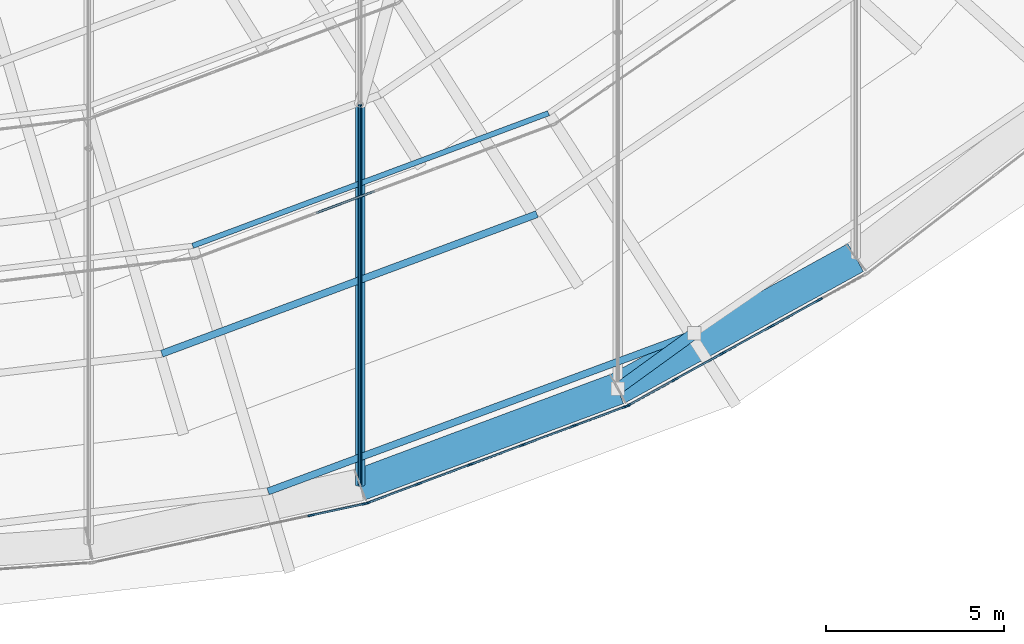
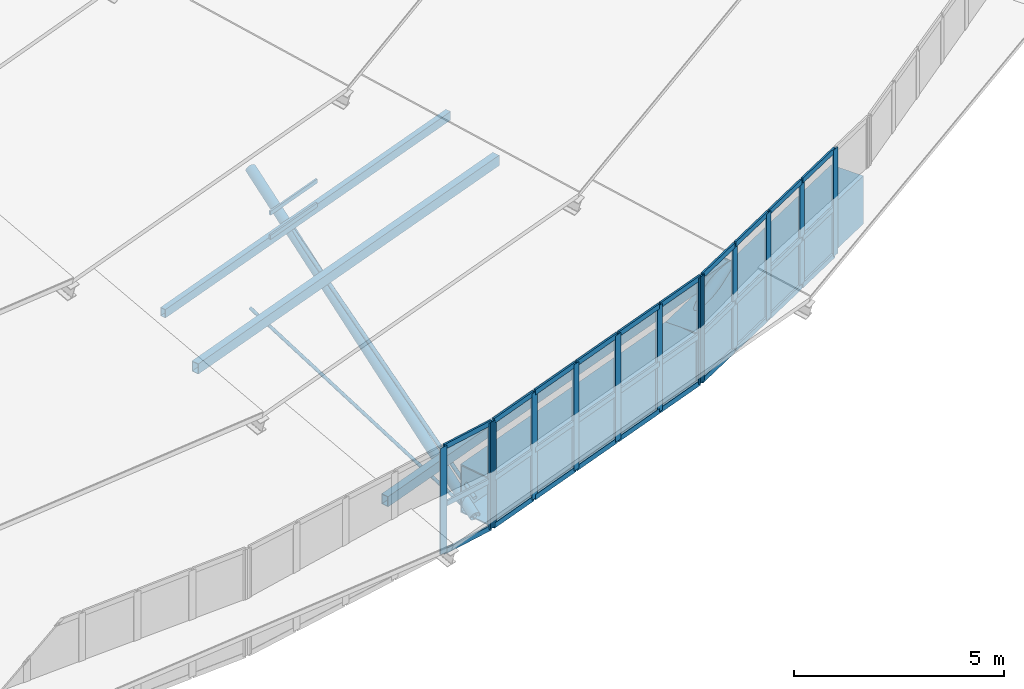
# One storey, part 74 of 173: 52 members, 2 beams, 4 elements without a shape of their own.
"""IFC4 building model written with IfcOpenShell, lengths in metres."""

from ifc_helpers import new_model, si_unit, direction, frame, origin, origin_2d, place, context, subcontext, project, spatial, rectangle, hollow_rectangle, circle, hollow_circle, extrude, material, material_profile, profile_set, type_object, element, aggregate, save


model = new_model("IFC4")

# Units and contexts
model_context = context("Model", 3, precision=1e-05, world=origin(), true_north=direction((0.0, 1.0)))
body_context = subcontext(model_context, "Body", "Model", "MODEL_VIEW")
ifc_project = project(units=[si_unit("LENGTHUNIT", "METRE"), si_unit("AREAUNIT", "SQUARE_METRE"), si_unit("VOLUMEUNIT", "CUBIC_METRE"), si_unit("PLANEANGLEUNIT", "RADIAN"), si_unit("MASSUNIT", "GRAM", prefix="KILO")], contexts=[model_context])

# Site, building, storey
site_placement = place(None, origin())
site = spatial("IfcSite", under=ifc_project, at=site_placement, CompositionType="ELEMENT")
building_placement = place(site_placement, origin())
building = spatial("IfcBuilding", under=site, at=building_placement, Name="Glasvene Arena", CompositionType="ELEMENT")
storey_placement = place(building_placement, frame((0.0, 0.0, 28.800048828125)))
storey = spatial("IfcBuildingStorey", under=building, at=storey_placement, Name="RF", CompositionType="ELEMENT", Elevation=28.800048828125)

# Beams
ifc_material_1 = material(Name="Steel S355J2", Category="steel")
ifc_material_profile_1 = material_profile(ifc_material_1, hollow_rectangle(XDim=0.89990234375, YDim=1.39990234375, WallThickness=0.034912109375, at=origin_2d()), Name="WBOX 900x1400x35")
ifc_profile_set_1 = profile_set([ifc_material_profile_1], Name="Steel S355J2")
beam_type = type_object("IfcBeamType", Name="BM-RING-BOX1400", PredefinedType="USERDEFINED", material=ifc_profile_set_1)
beam_1_placement = place(storey_placement, frame((107.45068359375, 30.202392578125, -0.699951171875), z_axis=(0.937003141372, 0.349320931321, 0.0), x_axis=(-0.349320931321, 0.937003141372, 0.0)))
element("IfcBeam", 1, at=beam_1_placement, inside=storey, type_object=beam_type, Name="Compression ring beam chord RB-33", ObjectType="RING BEAM", PredefinedType="USERDEFINED", context=body_context, shape_type="SweptSolid", body=[
    extrude(hollow_rectangle(XDim=0.89990234375, YDim=1.39990234375, WallThickness=0.034912109375, at=origin_2d()), origin(), (0.0, 0.0, 1.0), 7.736083984375),
])
beam_2_placement = place(storey_placement, frame((114.699462890625, 32.90478515625, -0.699951171875), z_axis=(0.875663430497, 0.482921894813, 0.0), x_axis=(-0.482921894813, 0.875663430497, 0.0)))
element("IfcBeam", 2, at=beam_2_placement, inside=storey, type_object=beam_type, Name="Compression ring beam chord RB-34", ObjectType="RING BEAM", PredefinedType="USERDEFINED", context=body_context, shape_type="SweptSolid", body=[
    extrude(hollow_rectangle(XDim=0.89990234375, YDim=1.39990234375, WallThickness=0.034912109375, at=origin_2d()), origin(), (0.0, 0.0, 1.0), 7.639892578125),
])

# Curtain wall, members
ifc_material_2 = material(Name="Low-emissivity laminated double glazing", Category="glass")
curtain_wall_type_1 = type_object("IfcCurtainWallType", Name="CW-DRUM-789x310", PredefinedType="USERDEFINED", material=ifc_material_2)
curtain_wall_1_placement = place(storey_placement, frame((99.90771484375, 28.0107421875, 0.0)))
curtain_wall_1 = element("IfcCurtainWall", 3, at=curtain_wall_1_placement, inside=storey, type_object=curtain_wall_type_1, Name="Crown compression-ring fascia curtain wall 32", ObjectType="CURTAIN WALL", PredefinedType="USERDEFINED")
ifc_material_3 = material(Name="Anodised architectural aluminium", Category="aluminium")
ifc_material_profile_2 = material_profile(ifc_material_3, rectangle(XDim=0.050048828125, YDim=0.199951171875, at=origin_2d()), Name="ALU MULLION 50x200")
ifc_profile_set_2 = profile_set([ifc_material_profile_2], Name="Anodised architectural aluminium")
member_type_1 = type_object("IfcMemberType", Name="CW-MUL-180", PredefinedType="MULLION", material=ifc_profile_set_2)
member_1_placement = place(storey_placement, frame((106.078125, 29.345703125, -1.380126953125), z_axis=(0.0, 0.0, 1.0), x_axis=(-0.211444690135, 0.977389964658, 0.0)))
member_1 = element("IfcMember", 4, at=member_1_placement, type_object=member_type_1, Name="CW-079 mullion 5", PredefinedType="MULLION", context=body_context, shape_type="SweptSolid", body=[
    extrude(rectangle(XDim=0.050048828125, YDim=0.199951171875, at=origin_2d()), origin(), (0.0, 0.0, 1.0), 3.10009765625),
])
member_2_placement = place(storey_placement, frame((107.596435546875, 29.674072265625, -1.380126953125), z_axis=(0.0, 0.0, 1.0), x_axis=(-0.211444690135, 0.977389964658, 0.0)))
member_2 = element("IfcMember", 5, at=member_2_placement, type_object=member_type_1, Name="CW-079 mullion 6", PredefinedType="MULLION", context=body_context, shape_type="SweptSolid", body=[
    extrude(rectangle(XDim=0.050048828125, YDim=0.199951171875, at=origin_2d()), origin(), (0.0, 0.0, 1.0), 3.10009765625),
])

curtain_wall_type_2 = type_object("IfcCurtainWallType", Name="CW-DRUM-782x310", PredefinedType="USERDEFINED", material=ifc_material_2)
curtain_wall_2_placement = place(storey_placement, frame((107.620849609375, 29.679443359375, 0.0)))
curtain_wall_2 = element("IfcCurtainWall", 6, at=curtain_wall_2_placement, inside=storey, type_object=curtain_wall_type_2, Name="Crown compression-ring fascia curtain wall 33", ObjectType="CURTAIN WALL", PredefinedType="USERDEFINED")
member_3_placement = place(storey_placement, frame((107.644287109375, 29.688232421875, -1.380126953125), z_axis=(0.0, 0.0, 1.0), x_axis=(-0.349682803856, 0.936868153311, 0.0)))
member_3 = element("IfcMember", 7, at=member_3_placement, type_object=member_type_1, Name="CW-078 mullion 1", PredefinedType="MULLION", context=body_context, shape_type="SweptSolid", body=[
    extrude(rectangle(XDim=0.050048828125, YDim=0.199951171875, at=origin_2d()), origin(), (0.0, 0.0, 1.0), 3.10009765625),
])
member_4_placement = place(storey_placement, frame((109.08642578125, 30.2265625, -1.380126953125), z_axis=(0.0, 0.0, 1.0), x_axis=(-0.349682803856, 0.936868153311, 0.0)))
member_4 = element("IfcMember", 8, at=member_4_placement, type_object=member_type_1, Name="CW-078 mullion 2", PredefinedType="MULLION", context=body_context, shape_type="SweptSolid", body=[
    extrude(rectangle(XDim=0.050048828125, YDim=0.199951171875, at=origin_2d()), origin(), (0.0, 0.0, 1.0), 3.10009765625),
])
member_5_placement = place(storey_placement, frame((110.55224609375, 30.7734375, -1.380126953125), z_axis=(0.0, 0.0, 1.0), x_axis=(-0.349682803856, 0.936868153311, 0.0)))
member_5 = element("IfcMember", 9, at=member_5_placement, type_object=member_type_1, Name="CW-078 mullion 3", PredefinedType="MULLION", context=body_context, shape_type="SweptSolid", body=[
    extrude(rectangle(XDim=0.050048828125, YDim=0.199951171875, at=origin_2d()), origin(), (0.0, 0.0, 1.0), 3.10009765625),
])
member_6_placement = place(storey_placement, frame((112.017822265625, 31.320556640625, -1.380126953125), z_axis=(0.0, 0.0, 1.0), x_axis=(-0.349682803856, 0.936868153311, 0.0)))
member_6 = element("IfcMember", 10, at=member_6_placement, type_object=member_type_1, Name="CW-078 mullion 4", PredefinedType="MULLION", context=body_context, shape_type="SweptSolid", body=[
    extrude(rectangle(XDim=0.050048828125, YDim=0.199951171875, at=origin_2d()), origin(), (0.0, 0.0, 1.0), 3.10009765625),
])
member_7_placement = place(storey_placement, frame((113.4833984375, 31.86767578125, -1.380126953125), z_axis=(0.0, 0.0, 1.0), x_axis=(-0.349682803856, 0.936868153311, 0.0)))
member_7 = element("IfcMember", 11, at=member_7_placement, type_object=member_type_1, Name="CW-078 mullion 5", PredefinedType="MULLION", context=body_context, shape_type="SweptSolid", body=[
    extrude(rectangle(XDim=0.050048828125, YDim=0.199951171875, at=origin_2d()), origin(), (0.0, 0.0, 1.0), 3.10009765625),
])
member_8_placement = place(storey_placement, frame((114.92578125, 32.406005859375, -1.380126953125), z_axis=(0.0, 0.0, 1.0), x_axis=(-0.349682803856, 0.936868153311, 0.0)))
member_8 = element("IfcMember", 12, at=member_8_placement, type_object=member_type_1, Name="CW-078 mullion 6", PredefinedType="MULLION", context=body_context, shape_type="SweptSolid", body=[
    extrude(rectangle(XDim=0.050048828125, YDim=0.199951171875, at=origin_2d()), origin(), (0.0, 0.0, 1.0), 3.10009765625),
])

curtain_wall_type_3 = type_object("IfcCurtainWallType", Name="CW-DRUM-773x310", PredefinedType="USERDEFINED", material=ifc_material_2)
curtain_wall_3_placement = place(storey_placement, frame((114.94921875, 32.414794921875, 0.0)))
curtain_wall_3 = element("IfcCurtainWall", 13, at=curtain_wall_3_placement, inside=storey, type_object=curtain_wall_type_3, Name="Crown compression-ring fascia curtain wall 34", ObjectType="CURTAIN WALL", PredefinedType="USERDEFINED")
member_9_placement = place(storey_placement, frame((114.97119140625, 32.4267578125, -1.380126953125), z_axis=(0.0, 0.0, 1.0), x_axis=(-0.483387319086, 0.875406591103, 0.0)))
member_9 = element("IfcMember", 14, at=member_9_placement, type_object=member_type_1, Name="CW-077 mullion 1", PredefinedType="MULLION", context=body_context, shape_type="SweptSolid", body=[
    extrude(rectangle(XDim=0.050048828125, YDim=0.199951171875, at=origin_2d()), origin(), (0.0, 0.0, 1.0), 3.10009765625),
])
member_10_placement = place(storey_placement, frame((116.3017578125, 33.16162109375, -1.380126953125), z_axis=(0.0, 0.0, 1.0), x_axis=(-0.483387319086, 0.875406591103, 0.0)))
member_10 = element("IfcMember", 15, at=member_10_placement, type_object=member_type_1, Name="CW-077 mullion 2", PredefinedType="MULLION", context=body_context, shape_type="SweptSolid", body=[
    extrude(rectangle(XDim=0.050048828125, YDim=0.199951171875, at=origin_2d()), origin(), (0.0, 0.0, 1.0), 3.10009765625),
])
member_11_placement = place(storey_placement, frame((117.654541015625, 33.908447265625, -1.380126953125), z_axis=(0.0, 0.0, 1.0), x_axis=(-0.483387319086, 0.875406591103, 0.0)))
member_11 = element("IfcMember", 16, at=member_11_placement, type_object=member_type_1, Name="CW-077 mullion 3", PredefinedType="MULLION", context=body_context, shape_type="SweptSolid", body=[
    extrude(rectangle(XDim=0.050048828125, YDim=0.199951171875, at=origin_2d()), origin(), (0.0, 0.0, 1.0), 3.10009765625),
])
member_12_placement = place(storey_placement, frame((119.007080078125, 34.655517578125, -1.380126953125), z_axis=(0.0, 0.0, 1.0), x_axis=(-0.483387319086, 0.875406591103, 0.0)))
member_12 = element("IfcMember", 17, at=member_12_placement, type_object=member_type_1, Name="CW-077 mullion 4", PredefinedType="MULLION", context=body_context, shape_type="SweptSolid", body=[
    extrude(rectangle(XDim=0.050048828125, YDim=0.199951171875, at=origin_2d()), origin(), (0.0, 0.0, 1.0), 3.10009765625),
])
member_13_placement = place(storey_placement, frame((120.35986328125, 35.40234375, -1.380126953125), z_axis=(0.0, 0.0, 1.0), x_axis=(-0.483387319086, 0.875406591103, 0.0)))
member_13 = element("IfcMember", 18, at=member_13_placement, type_object=member_type_1, Name="CW-077 mullion 5", PredefinedType="MULLION", context=body_context, shape_type="SweptSolid", body=[
    extrude(rectangle(XDim=0.050048828125, YDim=0.199951171875, at=origin_2d()), origin(), (0.0, 0.0, 1.0), 3.10009765625),
])

curtain_wall_type_4 = type_object("IfcCurtainWallType", Name="CW-PET1-1077x75", PredefinedType="USERDEFINED", material=ifc_material_2)
curtain_wall_4_placement = place(storey_placement, frame((102.83154296875, 36.584716796875, 0.0)))
curtain_wall_4 = element("IfcCurtainWall", 19, at=curtain_wall_4_placement, inside=storey, type_object=curtain_wall_type_4, Name="Petal ring 1-2 clerestory curtain wall 20", ObjectType="CURTAIN WALL", PredefinedType="USERDEFINED")
ifc_material_profile_3 = material_profile(ifc_material_3, rectangle(XDim=0.050048828125, YDim=0.1201171875, at=origin_2d()), Name="ALU TRANSOM 50x120")
ifc_profile_set_3 = profile_set([ifc_material_profile_3], Name="Anodised architectural aluminium")
member_type_2 = type_object("IfcMemberType", Name="CW-TRN-120", PredefinedType="USERDEFINED", material=ifc_profile_set_3)
member_14_placement = place(storey_placement, frame((106.219482421875, 37.8486328125, 2.60498046875), z_axis=(0.936885499629, 0.349636326179, 0.0), x_axis=(-0.349636326179, 0.936885499629, 0.0)))
member_14 = element("IfcMember", 20, at=member_14_placement, type_object=member_type_2, Name="CW-085 transom 3.1", ObjectType="TRANSOM", PredefinedType="USERDEFINED", context=body_context, shape_type="SweptSolid", body=[
    extrude(rectangle(XDim=0.050048828125, YDim=0.1201171875, at=origin_2d()), origin(), (0.0, 0.0, 1.0), 1.74560546875),
])
member_15_placement = place(storey_placement, frame((106.219482421875, 37.8486328125, 3.304931640625), z_axis=(0.936885499629, 0.349636326179, 0.0), x_axis=(-0.349636326179, 0.936885499629, 0.0)))
member_15 = element("IfcMember", 21, at=member_15_placement, type_object=member_type_2, Name="CW-085 transom 3.2", ObjectType="TRANSOM", PredefinedType="USERDEFINED", context=body_context, shape_type="SweptSolid", body=[
    extrude(rectangle(XDim=0.050048828125, YDim=0.1201171875, at=origin_2d()), origin(), (0.0, 0.0, 1.0), 1.74560546875),
])
aggregate(curtain_wall_4, [member_14, member_15])

# Member
ifc_material_profile_4 = material_profile(ifc_material_3, rectangle(XDim=0.050048828125, YDim=0.14990234375, at=origin_2d()), Name="ALU TRANSOM 50x150")
ifc_profile_set_4 = profile_set([ifc_material_profile_4], Name="Anodised architectural aluminium")
member_type_3 = type_object("IfcMemberType", Name="CW-TRN-150", PredefinedType="USERDEFINED", material=ifc_profile_set_4)
member_16_placement = place(storey_placement, frame((106.1025390625, 29.35107421875, -1.35498046875), z_axis=(0.977394217104, 0.211425032509, 0.0), x_axis=(-0.211425032509, 0.977394217104, 0.0)))
member_16 = element("IfcMember", 22, at=member_16_placement, type_object=member_type_3, Name="CW-079 transom 5.1", ObjectType="TRANSOM", PredefinedType="USERDEFINED", context=body_context, shape_type="SweptSolid", body=[
    extrude(rectangle(XDim=0.050048828125, YDim=0.14990234375, at=origin_2d()), origin(), (0.0, 0.0, 1.0), 1.50341796875),
])

member_17_placement = place(storey_placement, frame((106.1025390625, 29.35107421875, 0.02001953125), z_axis=(0.977394217104, 0.211425032509, 0.0), x_axis=(-0.211425032509, 0.977394217104, 0.0)))
member_17 = element("IfcMember", 23, at=member_17_placement, type_object=member_type_3, Name="CW-079 transom 5.2", ObjectType="TRANSOM", PredefinedType="USERDEFINED", context=body_context, shape_type="SweptSolid", body=[
    extrude(rectangle(XDim=0.050048828125, YDim=0.14990234375, at=origin_2d()), origin(), (0.0, 0.0, 1.0), 1.50341796875),
])

member_18_placement = place(storey_placement, frame((106.1025390625, 29.35107421875, 1.695068359375), z_axis=(0.977394217104, 0.211425032509, 0.0), x_axis=(-0.211425032509, 0.977394217104, 0.0)))
member_18 = element("IfcMember", 24, at=member_18_placement, type_object=member_type_3, Name="CW-079 transom 5.3", ObjectType="TRANSOM", PredefinedType="USERDEFINED", context=body_context, shape_type="SweptSolid", body=[
    extrude(rectangle(XDim=0.050048828125, YDim=0.14990234375, at=origin_2d()), origin(), (0.0, 0.0, 1.0), 1.50341796875),
])

aggregate(curtain_wall_1, [member_1, member_2, member_16, member_17, member_18])

member_19_placement = place(storey_placement, frame((107.667724609375, 29.69677734375, -1.35498046875), z_axis=(0.936820028277, 0.349811713096, 0.0), x_axis=(-0.349811713096, 0.936820028277, 0.0)))
member_19 = element("IfcMember", 25, at=member_19_placement, type_object=member_type_3, Name="CW-078 transom 1.1", ObjectType="TRANSOM", PredefinedType="USERDEFINED", context=body_context, shape_type="SweptSolid", body=[
    extrude(rectangle(XDim=0.050048828125, YDim=0.14990234375, at=origin_2d()), origin(), (0.0, 0.0, 1.0), 1.4892578125),
])

member_20_placement = place(storey_placement, frame((107.667724609375, 29.69677734375, 0.02001953125), z_axis=(0.936820028277, 0.349811713096, 0.0), x_axis=(-0.349811713096, 0.936820028277, 0.0)))
member_20 = element("IfcMember", 26, at=member_20_placement, type_object=member_type_3, Name="CW-078 transom 1.2", ObjectType="TRANSOM", PredefinedType="USERDEFINED", context=body_context, shape_type="SweptSolid", body=[
    extrude(rectangle(XDim=0.050048828125, YDim=0.14990234375, at=origin_2d()), origin(), (0.0, 0.0, 1.0), 1.4892578125),
])

member_21_placement = place(storey_placement, frame((107.667724609375, 29.69677734375, 1.695068359375), z_axis=(0.936820028277, 0.349811713096, 0.0), x_axis=(-0.349811713096, 0.936820028277, 0.0)))
member_21 = element("IfcMember", 27, at=member_21_placement, type_object=member_type_3, Name="CW-078 transom 1.3", ObjectType="TRANSOM", PredefinedType="USERDEFINED", context=body_context, shape_type="SweptSolid", body=[
    extrude(rectangle(XDim=0.050048828125, YDim=0.14990234375, at=origin_2d()), origin(), (0.0, 0.0, 1.0), 1.4892578125),
])

member_22_placement = place(storey_placement, frame((109.10986328125, 30.235107421875, -1.35498046875), z_axis=(0.936831655381, 0.349780573327, 0.0), x_axis=(-0.349780573327, 0.936831655381, 0.0)))
member_22 = element("IfcMember", 28, at=member_22_placement, type_object=member_type_3, Name="CW-078 transom 2.1", ObjectType="TRANSOM", PredefinedType="USERDEFINED", context=body_context, shape_type="SweptSolid", body=[
    extrude(rectangle(XDim=0.050048828125, YDim=0.14990234375, at=origin_2d()), origin(), (0.0, 0.0, 1.0), 1.5146484375),
])

member_23_placement = place(storey_placement, frame((109.10986328125, 30.235107421875, 0.02001953125), z_axis=(0.936831655381, 0.349780573327, 0.0), x_axis=(-0.349780573327, 0.936831655381, 0.0)))
member_23 = element("IfcMember", 29, at=member_23_placement, type_object=member_type_3, Name="CW-078 transom 2.2", ObjectType="TRANSOM", PredefinedType="USERDEFINED", context=body_context, shape_type="SweptSolid", body=[
    extrude(rectangle(XDim=0.050048828125, YDim=0.14990234375, at=origin_2d()), origin(), (0.0, 0.0, 1.0), 1.5146484375),
])

member_24_placement = place(storey_placement, frame((109.10986328125, 30.235107421875, 1.695068359375), z_axis=(0.936831655381, 0.349780573327, 0.0), x_axis=(-0.349780573327, 0.936831655381, 0.0)))
member_24 = element("IfcMember", 30, at=member_24_placement, type_object=member_type_3, Name="CW-078 transom 2.3", ObjectType="TRANSOM", PredefinedType="USERDEFINED", context=body_context, shape_type="SweptSolid", body=[
    extrude(rectangle(XDim=0.050048828125, YDim=0.14990234375, at=origin_2d()), origin(), (0.0, 0.0, 1.0), 1.5146484375),
])

member_25_placement = place(storey_placement, frame((110.57568359375, 30.7822265625, -1.35498046875), z_axis=(0.93686475649, 0.349691904462, 0.0), x_axis=(-0.349691904462, 0.93686475649, 0.0)))
member_25 = element("IfcMember", 31, at=member_25_placement, type_object=member_type_3, Name="CW-078 transom 3.1", ObjectType="TRANSOM", PredefinedType="USERDEFINED", context=body_context, shape_type="SweptSolid", body=[
    extrude(rectangle(XDim=0.050048828125, YDim=0.14990234375, at=origin_2d()), origin(), (0.0, 0.0, 1.0), 1.514404296875),
])

member_26_placement = place(storey_placement, frame((110.57568359375, 30.7822265625, 0.02001953125), z_axis=(0.93686475649, 0.349691904462, 0.0), x_axis=(-0.349691904462, 0.93686475649, 0.0)))
member_26 = element("IfcMember", 32, at=member_26_placement, type_object=member_type_3, Name="CW-078 transom 3.2", ObjectType="TRANSOM", PredefinedType="USERDEFINED", context=body_context, shape_type="SweptSolid", body=[
    extrude(rectangle(XDim=0.050048828125, YDim=0.14990234375, at=origin_2d()), origin(), (0.0, 0.0, 1.0), 1.514404296875),
])

member_27_placement = place(storey_placement, frame((110.57568359375, 30.7822265625, 1.695068359375), z_axis=(0.93686475649, 0.349691904462, 0.0), x_axis=(-0.349691904462, 0.93686475649, 0.0)))
member_27 = element("IfcMember", 33, at=member_27_placement, type_object=member_type_3, Name="CW-078 transom 3.3", ObjectType="TRANSOM", PredefinedType="USERDEFINED", context=body_context, shape_type="SweptSolid", body=[
    extrude(rectangle(XDim=0.050048828125, YDim=0.14990234375, at=origin_2d()), origin(), (0.0, 0.0, 1.0), 1.514404296875),
])

member_28_placement = place(storey_placement, frame((112.041259765625, 31.329345703125, -1.35498046875), z_axis=(0.936884467043, 0.349639093086, 0.0), x_axis=(-0.349639093086, 0.936884467043, 0.0)))
member_28 = element("IfcMember", 34, at=member_28_placement, type_object=member_type_3, Name="CW-078 transom 4.1", ObjectType="TRANSOM", PredefinedType="USERDEFINED", context=body_context, shape_type="SweptSolid", body=[
    extrude(rectangle(XDim=0.050048828125, YDim=0.14990234375, at=origin_2d()), origin(), (0.0, 0.0, 1.0), 1.5146484375),
])

member_29_placement = place(storey_placement, frame((112.041259765625, 31.329345703125, 0.02001953125), z_axis=(0.936884467043, 0.349639093086, 0.0), x_axis=(-0.349639093086, 0.936884467043, 0.0)))
member_29 = element("IfcMember", 35, at=member_29_placement, type_object=member_type_3, Name="CW-078 transom 4.2", ObjectType="TRANSOM", PredefinedType="USERDEFINED", context=body_context, shape_type="SweptSolid", body=[
    extrude(rectangle(XDim=0.050048828125, YDim=0.14990234375, at=origin_2d()), origin(), (0.0, 0.0, 1.0), 1.5146484375),
])

member_30_placement = place(storey_placement, frame((112.041259765625, 31.329345703125, 1.695068359375), z_axis=(0.936884467043, 0.349639093086, 0.0), x_axis=(-0.349639093086, 0.936884467043, 0.0)))
member_30 = element("IfcMember", 36, at=member_30_placement, type_object=member_type_3, Name="CW-078 transom 4.3", ObjectType="TRANSOM", PredefinedType="USERDEFINED", context=body_context, shape_type="SweptSolid", body=[
    extrude(rectangle(XDim=0.050048828125, YDim=0.14990234375, at=origin_2d()), origin(), (0.0, 0.0, 1.0), 1.5146484375),
])

member_31_placement = place(storey_placement, frame((113.5068359375, 31.87646484375, -1.35498046875), z_axis=(0.936893778627, 0.349614140975, 0.0), x_axis=(-0.349614140975, 0.936893778627, 0.0)))
member_31 = element("IfcMember", 37, at=member_31_placement, type_object=member_type_3, Name="CW-078 transom 5.1", ObjectType="TRANSOM", PredefinedType="USERDEFINED", context=body_context, shape_type="SweptSolid", body=[
    extrude(rectangle(XDim=0.050048828125, YDim=0.14990234375, at=origin_2d()), origin(), (0.0, 0.0, 1.0), 1.489501953125),
])

member_32_placement = place(storey_placement, frame((113.5068359375, 31.87646484375, 0.02001953125), z_axis=(0.936893778627, 0.349614140975, 0.0), x_axis=(-0.349614140975, 0.936893778627, 0.0)))
member_32 = element("IfcMember", 38, at=member_32_placement, type_object=member_type_3, Name="CW-078 transom 5.2", ObjectType="TRANSOM", PredefinedType="USERDEFINED", context=body_context, shape_type="SweptSolid", body=[
    extrude(rectangle(XDim=0.050048828125, YDim=0.14990234375, at=origin_2d()), origin(), (0.0, 0.0, 1.0), 1.489501953125),
])

member_33_placement = place(storey_placement, frame((113.5068359375, 31.87646484375, 1.695068359375), z_axis=(0.936893778627, 0.349614140975, 0.0), x_axis=(-0.349614140975, 0.936893778627, 0.0)))
member_33 = element("IfcMember", 39, at=member_33_placement, type_object=member_type_3, Name="CW-078 transom 5.3", ObjectType="TRANSOM", PredefinedType="USERDEFINED", context=body_context, shape_type="SweptSolid", body=[
    extrude(rectangle(XDim=0.050048828125, YDim=0.14990234375, at=origin_2d()), origin(), (0.0, 0.0, 1.0), 1.489501953125),
])

aggregate(curtain_wall_2, [member_3, member_4, member_5, member_6, member_7, member_8, member_19, member_20, member_21, member_22, member_23, member_24, member_25, member_26, member_27, member_28, member_29, member_30, member_31, member_32, member_33])

member_34_placement = place(storey_placement, frame((114.992919921875, 32.43896484375, -1.35498046875), z_axis=(0.875485629415, 0.483244154324, 0.0), x_axis=(-0.483244154324, 0.875485629415, 0.0)))
member_34 = element("IfcMember", 40, at=member_34_placement, type_object=member_type_3, Name="CW-077 transom 1.1", ObjectType="TRANSOM", PredefinedType="USERDEFINED", context=body_context, shape_type="SweptSolid", body=[
    extrude(rectangle(XDim=0.050048828125, YDim=0.14990234375, at=origin_2d()), origin(), (0.0, 0.0, 1.0), 1.47021484375),
])

member_35_placement = place(storey_placement, frame((114.992919921875, 32.43896484375, 0.02001953125), z_axis=(0.875485629415, 0.483244154324, 0.0), x_axis=(-0.483244154324, 0.875485629415, 0.0)))
member_35 = element("IfcMember", 41, at=member_35_placement, type_object=member_type_3, Name="CW-077 transom 1.2", ObjectType="TRANSOM", PredefinedType="USERDEFINED", context=body_context, shape_type="SweptSolid", body=[
    extrude(rectangle(XDim=0.050048828125, YDim=0.14990234375, at=origin_2d()), origin(), (0.0, 0.0, 1.0), 1.47021484375),
])

member_36_placement = place(storey_placement, frame((114.992919921875, 32.43896484375, 1.695068359375), z_axis=(0.875485629415, 0.483244154324, 0.0), x_axis=(-0.483244154324, 0.875485629415, 0.0)))
member_36 = element("IfcMember", 42, at=member_36_placement, type_object=member_type_3, Name="CW-077 transom 1.3", ObjectType="TRANSOM", PredefinedType="USERDEFINED", context=body_context, shape_type="SweptSolid", body=[
    extrude(rectangle(XDim=0.050048828125, YDim=0.14990234375, at=origin_2d()), origin(), (0.0, 0.0, 1.0), 1.47021484375),
])

member_37_placement = place(storey_placement, frame((116.32373046875, 33.173583984375, -1.35498046875), z_axis=(0.87535611162, 0.483478725332, 0.0), x_axis=(-0.483478725332, 0.87535611162, 0.0)))
member_37 = element("IfcMember", 43, at=member_37_placement, type_object=member_type_3, Name="CW-077 transom 2.1", ObjectType="TRANSOM", PredefinedType="USERDEFINED", context=body_context, shape_type="SweptSolid", body=[
    extrude(rectangle(XDim=0.050048828125, YDim=0.14990234375, at=origin_2d()), origin(), (0.0, 0.0, 1.0), 1.4951171875),
])

member_38_placement = place(storey_placement, frame((116.32373046875, 33.173583984375, 0.02001953125), z_axis=(0.87535611162, 0.483478725332, 0.0), x_axis=(-0.483478725332, 0.87535611162, 0.0)))
member_38 = element("IfcMember", 44, at=member_38_placement, type_object=member_type_3, Name="CW-077 transom 2.2", ObjectType="TRANSOM", PredefinedType="USERDEFINED", context=body_context, shape_type="SweptSolid", body=[
    extrude(rectangle(XDim=0.050048828125, YDim=0.14990234375, at=origin_2d()), origin(), (0.0, 0.0, 1.0), 1.4951171875),
])

member_39_placement = place(storey_placement, frame((116.32373046875, 33.173583984375, 1.695068359375), z_axis=(0.87535611162, 0.483478725332, 0.0), x_axis=(-0.483478725332, 0.87535611162, 0.0)))
member_39 = element("IfcMember", 45, at=member_39_placement, type_object=member_type_3, Name="CW-077 transom 2.3", ObjectType="TRANSOM", PredefinedType="USERDEFINED", context=body_context, shape_type="SweptSolid", body=[
    extrude(rectangle(XDim=0.050048828125, YDim=0.14990234375, at=origin_2d()), origin(), (0.0, 0.0, 1.0), 1.4951171875),
])

member_40_placement = place(storey_placement, frame((117.676513671875, 33.920654296875, -1.35498046875), z_axis=(0.8754252118, 0.483353595771, 0.0), x_axis=(-0.483353595771, 0.8754252118, 0.0)))
member_40 = element("IfcMember", 46, at=member_40_placement, type_object=member_type_3, Name="CW-077 transom 3.1", ObjectType="TRANSOM", PredefinedType="USERDEFINED", context=body_context, shape_type="SweptSolid", body=[
    extrude(rectangle(XDim=0.050048828125, YDim=0.14990234375, at=origin_2d()), origin(), (0.0, 0.0, 1.0), 1.4951171875),
])

member_41_placement = place(storey_placement, frame((117.676513671875, 33.920654296875, 0.02001953125), z_axis=(0.8754252118, 0.483353595771, 0.0), x_axis=(-0.483353595771, 0.8754252118, 0.0)))
member_41 = element("IfcMember", 47, at=member_41_placement, type_object=member_type_3, Name="CW-077 transom 3.2", ObjectType="TRANSOM", PredefinedType="USERDEFINED", context=body_context, shape_type="SweptSolid", body=[
    extrude(rectangle(XDim=0.050048828125, YDim=0.14990234375, at=origin_2d()), origin(), (0.0, 0.0, 1.0), 1.4951171875),
])

member_42_placement = place(storey_placement, frame((117.676513671875, 33.920654296875, 1.695068359375), z_axis=(0.8754252118, 0.483353595771, 0.0), x_axis=(-0.483353595771, 0.8754252118, 0.0)))
member_42 = element("IfcMember", 48, at=member_42_placement, type_object=member_type_3, Name="CW-077 transom 3.3", ObjectType="TRANSOM", PredefinedType="USERDEFINED", context=body_context, shape_type="SweptSolid", body=[
    extrude(rectangle(XDim=0.050048828125, YDim=0.14990234375, at=origin_2d()), origin(), (0.0, 0.0, 1.0), 1.4951171875),
])

member_43_placement = place(storey_placement, frame((119.029052734375, 34.66748046875, -1.35498046875), z_axis=(0.87535611162, 0.483478725332, 0.0), x_axis=(-0.483478725332, 0.87535611162, 0.0)))
member_43 = element("IfcMember", 49, at=member_43_placement, type_object=member_type_3, Name="CW-077 transom 4.1", ObjectType="TRANSOM", PredefinedType="USERDEFINED", context=body_context, shape_type="SweptSolid", body=[
    extrude(rectangle(XDim=0.050048828125, YDim=0.14990234375, at=origin_2d()), origin(), (0.0, 0.0, 1.0), 1.4951171875),
])

member_44_placement = place(storey_placement, frame((119.029052734375, 34.66748046875, 0.02001953125), z_axis=(0.87535611162, 0.483478725332, 0.0), x_axis=(-0.483478725332, 0.87535611162, 0.0)))
member_44 = element("IfcMember", 50, at=member_44_placement, type_object=member_type_3, Name="CW-077 transom 4.2", ObjectType="TRANSOM", PredefinedType="USERDEFINED", context=body_context, shape_type="SweptSolid", body=[
    extrude(rectangle(XDim=0.050048828125, YDim=0.14990234375, at=origin_2d()), origin(), (0.0, 0.0, 1.0), 1.4951171875),
])

member_45_placement = place(storey_placement, frame((119.029052734375, 34.66748046875, 1.695068359375), z_axis=(0.87535611162, 0.483478725332, 0.0), x_axis=(-0.483478725332, 0.87535611162, 0.0)))
member_45 = element("IfcMember", 51, at=member_45_placement, type_object=member_type_3, Name="CW-077 transom 4.3", ObjectType="TRANSOM", PredefinedType="USERDEFINED", context=body_context, shape_type="SweptSolid", body=[
    extrude(rectangle(XDim=0.050048828125, YDim=0.14990234375, at=origin_2d()), origin(), (0.0, 0.0, 1.0), 1.4951171875),
])

aggregate(curtain_wall_3, [member_9, member_10, member_11, member_12, member_13, member_34, member_35, member_36, member_37, member_38, member_39, member_40, member_41, member_42, member_43, member_44, member_45])

# Members
ifc_material_4 = material(Name="High-strength steel spiral strand S460", Category="steel")
ifc_material_profile_5 = material_profile(ifc_material_4, circle(Radius=0.052490234375, at=origin_2d()), Name="LCSS D105")
ifc_profile_set_5 = profile_set([ifc_material_profile_5], Name="High-strength steel spiral strand S460")
member_type_4 = type_object("IfcMemberType", Name="MB-CABLE-105", PredefinedType="USERDEFINED", material=ifc_profile_set_5)
member_46_placement = place(storey_placement, frame((107.45068359375, 30.202392578125, -0.780029296875), z_axis=(0.0, 0.960283937169, 0.279024658435), x_axis=(-1.0, 0.0, 0.0)))
element("IfcMember", 52, at=member_46_placement, inside=storey, type_object=member_type_4, Name="Upper lens roof cable NS03-01", ObjectType="ROOF CABLE", PredefinedType="USERDEFINED", context=body_context, shape_type="SweptSolid", body=[
    extrude(circle(Radius=0.052490234375, at=origin_2d()), origin(), (0.0, 0.0, 1.0), 11.14208984375),
])
ifc_material_profile_6 = material_profile(ifc_material_4, circle(Radius=0.044921875, at=origin_2d()), Name="LCSS D90")
ifc_profile_set_6 = profile_set([ifc_material_profile_6], Name="High-strength steel spiral strand S460")
member_type_5 = type_object("IfcMemberType", Name="MB-CABLE-90", PredefinedType="USERDEFINED", material=ifc_profile_set_6)
member_47_placement = place(storey_placement, frame((107.45068359375, 30.202392578125, -1.320068359375), z_axis=(0.0, 0.999181723513, -0.040446055391), x_axis=(-1.0, 0.0, 0.0)))
element("IfcMember", 53, at=member_47_placement, inside=storey, type_object=member_type_5, Name="Lower stabilization roof cable NS03-01", ObjectType="ROOF CABLE", PredefinedType="USERDEFINED", context=body_context, shape_type="SweptSolid", body=[
    extrude(circle(Radius=0.044921875, at=origin_2d()), origin(), (0.0, 0.0, 1.0), 10.708251953125),
])
ifc_material_profile_7 = material_profile(ifc_material_1, hollow_circle(Radius=0.161865234375, WallThickness=0.01611328125, at=origin_2d()), Name="CHS 323.9x16.0")
ifc_profile_set_7 = profile_set([ifc_material_profile_7], Name="Steel S355J2")
member_type_6 = type_object("IfcMemberType", Name="MB-POST-CHS324", PredefinedType="BRACE", material=ifc_profile_set_7)
member_48_placement = place(storey_placement, frame((114.699462890625, 32.90478515625, -0.300048828125), z_axis=(0.797710559684, 0.577568163204, 0.173415339062), x_axis=(-0.586453651283, 0.809982786791, 0.0)))
element("IfcMember", 54, at=member_48_placement, inside=storey, type_object=member_type_6, Name="Petal ring 1 outer support post 21", PredefinedType="BRACE", context=body_context, shape_type="SweptSolid", body=[
    extrude(hollow_circle(Radius=0.161865234375, WallThickness=0.01611328125, at=origin_2d()), origin(), (0.0, 0.0, 1.0), 2.696044921875),
])
ifc_material_profile_8 = material_profile(ifc_material_1, hollow_rectangle(XDim=0.14990234375, YDim=0.25, WallThickness=0.010009765625, at=origin_2d()), Name="RHS 250x150x10.0")
ifc_profile_set_8 = profile_set([ifc_material_profile_8], Name="Steel S355J2")
member_type_7 = type_object("IfcMemberType", Name="MB-PURLIN-RHS250", PredefinedType="PURLIN", material=ifc_profile_set_8)
member_49_placement = place(storey_placement, frame((102.740966796875, 36.922607421875, 2.181884765625), z_axis=(0.937010256553, 0.349301845279, 0.0), x_axis=(-0.349301845279, 0.937010256553, 0.0)))
element("IfcMember", 55, at=member_49_placement, inside=storey, type_object=member_type_7, Name="Petal ring 1 ridge purlin 20", PredefinedType="PURLIN", context=body_context, shape_type="SweptSolid", body=[
    extrude(hollow_rectangle(XDim=0.14990234375, YDim=0.25, WallThickness=0.010009765625, at=origin_2d()), origin(), (0.0, 0.0, 1.0), 10.681884765625),
])
ifc_material_profile_9 = material_profile(ifc_material_1, hollow_rectangle(XDim=0.199951171875, YDim=0.300048828125, WallThickness=0.012451171875, at=origin_2d()), Name="RHS 300x200x12.5")
ifc_profile_set_9 = profile_set([ifc_material_profile_9], Name="Steel S355J2")
member_type_8 = type_object("IfcMemberType", Name="MB-PURLIN-RHS300", PredefinedType="PURLIN", material=ifc_profile_set_9)
member_50_placement = place(storey_placement, frame((104.86328125, 30.016357421875, 0.16748046875), z_axis=(0.937595944785, 0.347726680488, 0.0), x_axis=(-0.347726680488, 0.937595944785, 0.0)))
element("IfcMember", 56, at=member_50_placement, inside=storey, type_object=member_type_8, Name="Petal ring 1 outer purlin 20", PredefinedType="PURLIN", context=body_context, shape_type="SweptSolid", body=[
    extrude(hollow_rectangle(XDim=0.199951171875, YDim=0.300048828125, WallThickness=0.012451171875, at=origin_2d()), origin(), (0.0, 0.0, 1.0), 12.78466796875),
])
member_51_placement = place(storey_placement, frame((101.873291015625, 33.88916015625, 2.728515625), z_axis=(0.937227949513, 0.348717321983, 0.0), x_axis=(-0.348717321983, 0.937227949513, 0.0)))
element("IfcMember", 57, at=member_51_placement, inside=storey, type_object=member_type_8, Name="Petal ring 2 outer purlin 20", PredefinedType="PURLIN", context=body_context, shape_type="SweptSolid", body=[
    extrude(hollow_rectangle(XDim=0.199951171875, YDim=0.300048828125, WallThickness=0.012451171875, at=origin_2d()), origin(), (0.0, 0.0, 1.0), 11.258544921875),
])
ifc_material_profile_10 = material_profile(ifc_material_1, hollow_circle(Radius=0.136474609375, WallThickness=0.012451171875, at=origin_2d()), Name="CHS 273.0x12.5")
ifc_profile_set_10 = profile_set([ifc_material_profile_10], Name="Steel S355J2")
member_type_9 = type_object("IfcMemberType", Name="MB-WEB-CHS273", PredefinedType="BRACE", material=ifc_profile_set_10)
member_52_placement = place(storey_placement, frame((107.45068359375, 30.202392578125, -1.320068359375), z_axis=(0.0, 0.946472854932, 0.322783417908), x_axis=(-1.0, 0.0, 0.0)))
element("IfcMember", 58, at=member_52_placement, inside=storey, type_object=member_type_9, Name="Cable-truss diagonal web strut NS03-01", PredefinedType="BRACE", context=body_context, shape_type="SweptSolid", body=[
    extrude(hollow_circle(Radius=0.136474609375, WallThickness=0.012451171875, at=origin_2d()), origin(), (0.0, 0.0, 1.0), 11.304443359375),
])

save(model, "model.ifc")
